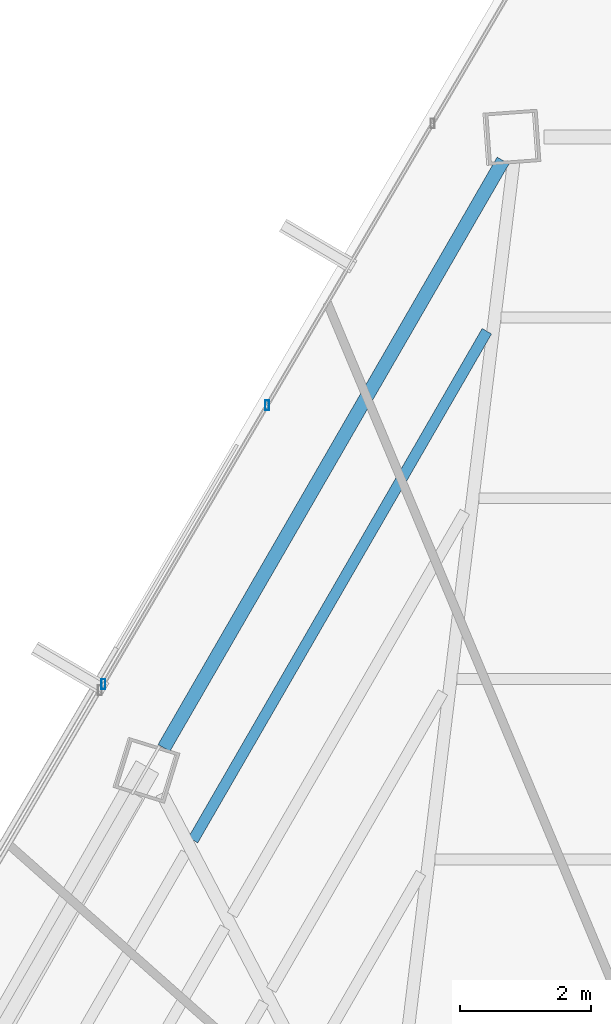
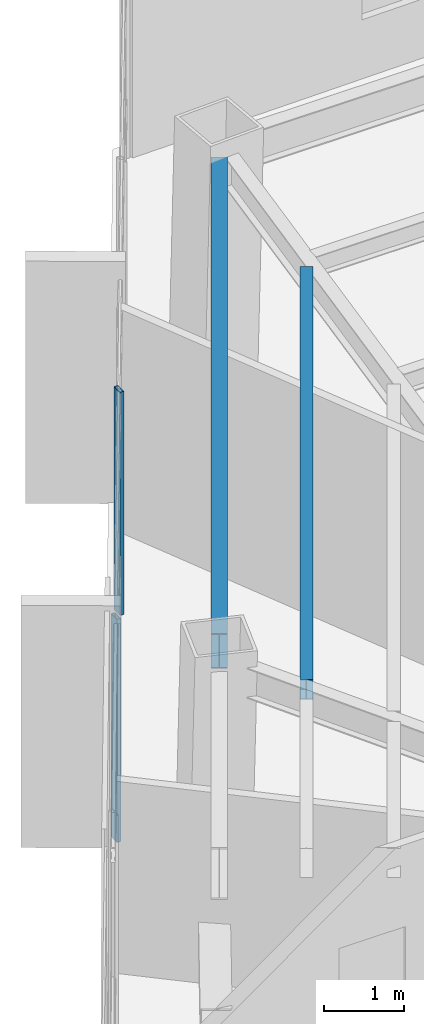
# One storey, part 27 of 42: 2 beams, 2 members, 1 element without a shape of its own.
"""IFC4 building model written with IfcOpenShell, lengths in metres."""

from ifc_helpers import new_model, si_unit, direction, frame, origin, origin_2d, place, context, subcontext, project, spatial, hollow_rectangle, i_section, extrude, source, transform, mapped, material, material_profile, profile_set, type_object, type_shapes, element, aggregate, save


model = new_model("IFC4")

# Units and contexts
model_context = context("Model", 3, precision=1e-05, world=origin(), true_north=direction((0.0, 1.0)))
body_context = subcontext(model_context, "Body", "Model", "MODEL_VIEW")
ifc_project = project(units=[si_unit("LENGTHUNIT", "METRE"), si_unit("AREAUNIT", "SQUARE_METRE"), si_unit("VOLUMEUNIT", "CUBIC_METRE"), si_unit("PLANEANGLEUNIT", "RADIAN"), si_unit("MASSUNIT", "GRAM", prefix="KILO")], contexts=[model_context])

# Site, building, storey
site_placement = place(None, origin())
site = spatial("IfcSite", under=ifc_project, at=site_placement, CompositionType="ELEMENT")
building_placement = place(site_placement, origin())
building = spatial("IfcBuilding", under=site, at=building_placement, Name="Caelisora Broadcast Tower", CompositionType="ELEMENT")
storey_placement = place(building_placement, frame((0.0, 0.0, 184.050048828125)))
storey = spatial("IfcBuildingStorey", under=building, at=storey_placement, Name="L48", CompositionType="ELEMENT", Elevation=184.050048828125)

# Beams
ifc_material_1 = material(Name="Steel Grade 350 (AS/NZS 3679.1)", Category="steel")
ifc_material_profile_1 = material_profile(ifc_material_1, i_section(OverallWidth=0.208984375, OverallDepth=0.532958984375, WebThickness=0.01025390625, FlangeThickness=0.015625, at=origin_2d()), Name="Steel Grade 350 (AS/NZS 3679.1)")
ifc_profile_set_1 = profile_set([ifc_material_profile_1], Name="Steel Grade 350 (AS/NZS 3679.1)")
beam_type_1 = type_object("IfcBeamType", Name="PG05", PredefinedType="BEAM", material=ifc_profile_set_1)
shared_shape_1 = source(origin(), body_context, "Body", "SweptSolid", [
    extrude(i_section(OverallWidth=0.208984375, OverallDepth=0.532958984375, WebThickness=0.01025390625, FlangeThickness=0.015625, at=origin_2d()), origin(), (0.0, 0.0, 1.0), 10.3603515625),
])
type_shapes(beam_type_1, [shared_shape_1])
beam_1_placement = place(storey_placement, frame((32.304931640625, 46.193603515625, 3.133544921875), z_axis=(-0.499996469828, -0.86602744192, 0.0), x_axis=(0.86602744192, -0.499996469828, 0.0)))
element("IfcBeam", 1, at=beam_1_placement, inside=storey, type_object=beam_type_1, Name="L48 beam PG05", PredefinedType="BEAM", context=body_context, shape_type="MappedRepresentation", body=[
    mapped(shared_shape_1, transform((0.0, 0.0, 0.0), scale=1.0)),
])
ifc_material_profile_2 = material_profile(ifc_material_1, i_section(OverallWidth=0.166015625, OverallDepth=0.30712890625, WebThickness=0.006591796875, FlangeThickness=0.01171875, at=origin_2d()), Name="Steel Grade 350 (AS/NZS 3679.1)")
ifc_profile_set_2 = profile_set([ifc_material_profile_2], Name="Steel Grade 350 (AS/NZS 3679.1)")
beam_type_2 = type_object("IfcBeamType", Name="SB03", PredefinedType="JOIST", material=ifc_profile_set_2)
shared_shape_2 = source(origin(), body_context, "Body", "SweptSolid", [
    extrude(i_section(OverallWidth=0.166015625, OverallDepth=0.30712890625, WebThickness=0.006591796875, FlangeThickness=0.01171875, at=origin_2d()), origin(), (0.0, 0.0, 1.0), 8.976318359375),
])
type_shapes(beam_type_2, [shared_shape_2])
beam_2_placement = place(storey_placement, frame((32.05712890625, 43.58642578125, 3.246337890625), z_axis=(-0.499991638017, -0.866030231524, 0.0), x_axis=(0.866030231524, -0.499991638017, 0.0)))
element("IfcBeam", 2, at=beam_2_placement, inside=storey, type_object=beam_type_2, Name="L48 beam SB03", PredefinedType="JOIST", context=body_context, shape_type="MappedRepresentation", body=[
    mapped(shared_shape_2, transform((0.0, 0.0, 0.0), scale=1.0)),
])

# Curtain wall, members
ifc_material_2 = material(Name="Unitised Aluminium and Low-E Glass Curtain Wall", Category="glass")
curtain_wall_type = type_object("IfcCurtainWallType", Name="CW-Z4", PredefinedType="NOTDEFINED", material=ifc_material_2)
curtain_wall_placement = place(storey_placement, origin())
curtain_wall = element("IfcCurtainWall", 3, at=curtain_wall_placement, inside=storey, type_object=curtain_wall_type, Name="L48 curtain wall CW-Z4", PredefinedType="NOTDEFINED")
ifc_material_3 = material(Name="Aluminium 6063-T6 Anodised Terracotta Bronze", Category="aluminium")
ifc_material_profile_3 = material_profile(ifc_material_3, hollow_rectangle(XDim=0.06005859375, YDim=0.14990234375, WallThickness=0.00341796875, at=origin_2d()), Name="Aluminium 6063-T6 Anodised Terracotta Bronze")
ifc_profile_set_3 = profile_set([ifc_material_profile_3], Name="Aluminium 6063-T6 Anodised Terracotta Bronze")
member_type = type_object("IfcMemberType", Name="CWM-03", PredefinedType="MULLION", material=ifc_profile_set_3)
shared_shape_3 = source(origin(), body_context, "Body", "SweptSolid", [
    extrude(hollow_rectangle(XDim=0.06005859375, YDim=0.14990234375, WallThickness=0.00341796875, at=origin_2d()), origin(), (0.0, 0.0, 1.0), 3.39990234375),
])
type_shapes(member_type, [shared_shape_3])
member_1_placement = place(storey_placement, frame((26.20068359375, 38.1953125, 0.0), z_axis=(0.0, 0.0, 1.0), x_axis=(1.0, 0.0, 0.0)))
member_1 = element("IfcMember", 4, at=member_1_placement, type_object=member_type, Name="L48-CW-B11 mullion #0", PredefinedType="MULLION", context=body_context, shape_type="MappedRepresentation", body=[
    mapped(shared_shape_3, transform((0.0, 0.0, 0.0), scale=1.0)),
])
member_2_placement = place(storey_placement, frame((28.701904296875, 42.455322265625, 0.0), z_axis=(0.0, 0.0, 1.0), x_axis=(1.0, 0.0, 0.0)))
member_2 = element("IfcMember", 5, at=member_2_placement, type_object=member_type, Name="L48-CW-B11 mullion #1", PredefinedType="MULLION", context=body_context, shape_type="MappedRepresentation", body=[
    mapped(shared_shape_3, transform((0.0, 0.0, 0.0), scale=1.0)),
])
aggregate(curtain_wall, [member_1, member_2])

save(model, "model.ifc")
